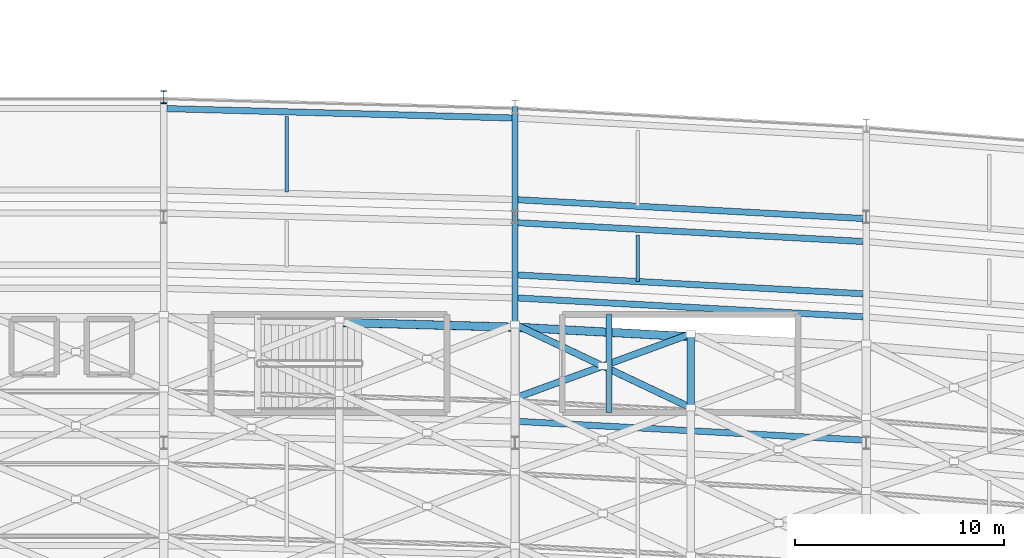
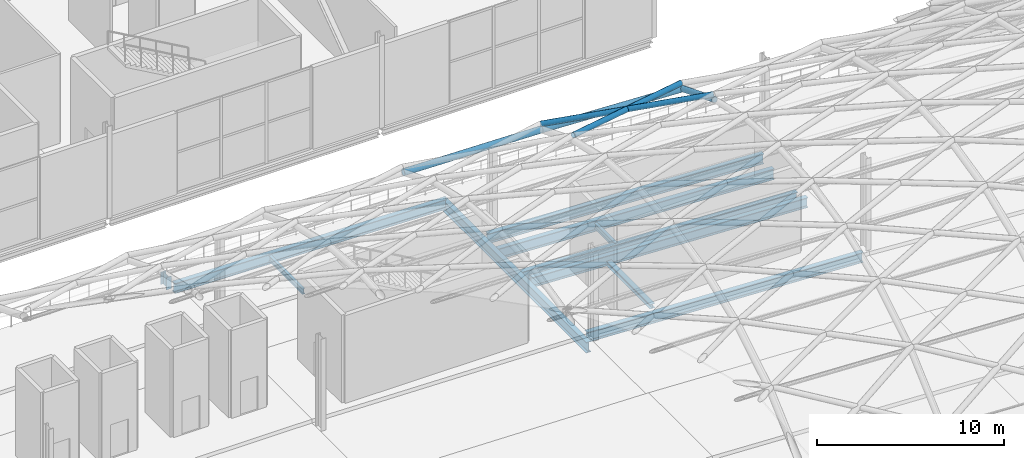
# One storey, part 37 of 100: 10 beams, 7 members.
"""IFC4 building model written with IfcOpenShell, lengths in metres."""

from ifc_helpers import new_model, si_unit, direction, frame, origin, origin_2d, place, context, subcontext, project, spatial, hollow_circle, i_section, extrude, material, material_profile, profile_set, type_object, element, save


model = new_model("IFC4")

# Units and contexts
model_context = context("Model", 3, precision=1e-05, world=origin(), true_north=direction((0.0, 1.0)))
body_context = subcontext(model_context, "Body", "Model", "MODEL_VIEW")
ifc_project = project(units=[si_unit("LENGTHUNIT", "METRE"), si_unit("AREAUNIT", "SQUARE_METRE"), si_unit("VOLUMEUNIT", "CUBIC_METRE"), si_unit("PLANEANGLEUNIT", "RADIAN"), si_unit("MASSUNIT", "GRAM", prefix="KILO")], contexts=[model_context])

# Site, building, storey
site_placement = place(None, origin())
site = spatial("IfcSite", under=ifc_project, at=site_placement, CompositionType="ELEMENT")
building_placement = place(site_placement, origin())
building = spatial("IfcBuilding", under=site, at=building_placement, Name="Kimbaza Rail Terminus", CompositionType="ELEMENT")
storey_placement = place(building_placement, frame((0.0, 0.0, 10.800048828125)))
storey = spatial("IfcBuildingStorey", under=building, at=storey_placement, Name="L02", CompositionType="ELEMENT", Elevation=10.800048828125)

# Beams
ifc_material_1 = material(Name="Steel S355", Category="steel")
ifc_material_profile_1 = material_profile(ifc_material_1, i_section(OverallWidth=0.300048828125, OverallDepth=0.2900390625, WebThickness=0.008544921875, FlangeThickness=0.013916015625, FilletRadius=0.027099609375, at=origin_2d()), Name="HEA 300")
ifc_profile_set_1 = profile_set([ifc_material_profile_1], Name="Steel S355")
beam_type_1 = type_object("IfcBeamType", Name="STR-BM-HEA300", PredefinedType="SPANDREL", material=ifc_profile_set_1)
beam_1_placement = place(storey_placement, frame((143.699951171875, 81.659912109375, -0.405029296875), z_axis=(0.0, 1.0, 0.0), x_axis=(-1.0, 0.0, 0.0)))
element("IfcBeam", 1, at=beam_1_placement, inside=storey, type_object=beam_type_1, Name="Platform East Concourse Stair Landing Trimmer Beam L02", PredefinedType="SPANDREL", context=body_context, shape_type="SweptSolid", body=[
    extrude(i_section(OverallWidth=0.300048828125, OverallDepth=0.2900390625, WebThickness=0.008544921875, FlangeThickness=0.013916015625, FilletRadius=0.027099609375, at=origin_2d()), origin(), (0.0, 0.0, 1.0), 4.68017578125),
])
ifc_material_2 = material(Name="Steel S355", Category="steel")
ifc_material_profile_2 = material_profile(ifc_material_2, i_section(OverallWidth=0.300048828125, OverallDepth=0.64990234375, WebThickness=0.01611328125, FlangeThickness=0.031005859375, FilletRadius=0.027099609375, at=origin_2d()), Name="HEB 650")
ifc_profile_set_2 = profile_set([ifc_material_profile_2], Name="Steel S355")
beam_type_2 = type_object("IfcBeamType", Name="STR-BM-HEB650", PredefinedType="USERDEFINED", material=ifc_profile_set_2)
beam_2_placement = place(storey_placement, frame((122.544921875, 96.189208984375, -0.5849609375), z_axis=(0.999632852013, -0.027095408765, 0.0), x_axis=(0.027095408765, 0.999632852013, 0.0)))
element("IfcBeam", 2, at=beam_2_placement, inside=storey, type_object=beam_type_2, Name="Viaduct Chorded Girder P4 Bay 07", ObjectType="GIRDER", PredefinedType="USERDEFINED", context=body_context, shape_type="SweptSolid", body=[
    extrude(i_section(OverallWidth=0.300048828125, OverallDepth=0.64990234375, WebThickness=0.01611328125, FlangeThickness=0.031005859375, FilletRadius=0.027099609375, at=origin_2d()), origin(), (0.0, 0.0, 1.0), 16.51611328125),
])
for number, where, z_axis, x_axis, name in (
    (3, (139.3447265625, 81.229736328125, -0.5849609375), (0.998530722194, -0.054188530475, 0.0), (0.054188530475, 0.998530722194, 0.0), "Viaduct Chorded Girder P3 Bay 08"),
    (4, (139.3447265625, 87.1298828125, -0.5849609375), (0.998529923153, -0.054203252368, 0.0), (0.054203252368, 0.998529923153, 0.0), "Viaduct Chorded Girder P3 Bay 08"),
    (5, (139.3447265625, 91.829833984375, -0.5849609375), (0.998529923153, -0.054203252368, 0.0), (0.054203252368, 0.998529923153, 0.0), "Viaduct Chorded Girder P4 Bay 08"),
):
    element("IfcBeam", number, at=place(storey_placement, frame(where, z_axis=z_axis, x_axis=x_axis)), inside=storey, type_object=beam_type_2, Name=name, ObjectType="GIRDER", PredefinedType="USERDEFINED", context=body_context, shape_type="SweptSolid", body=[
        extrude(i_section(OverallWidth=0.300048828125, OverallDepth=0.64990234375, WebThickness=0.01611328125, FlangeThickness=0.031005859375, FilletRadius=0.027099609375, at=origin_2d()), origin(), (0.0, 0.0, 1.0), 16.534912109375),
    ])
ifc_material_3 = material(Name="Steel S355", Category="steel")
ifc_material_profile_3 = material_profile(ifc_material_3, i_section(OverallWidth=0.300048828125, OverallDepth=0.699951171875, WebThickness=0.01708984375, FlangeThickness=0.031982421875, FilletRadius=0.027099609375, at=origin_2d()), Name="HEB 700")
ifc_profile_set_3 = profile_set([ifc_material_profile_3], Name="Steel S355")
beam_type_3 = type_object("IfcBeamType", Name="STR-BM-HEB700", PredefinedType="USERDEFINED", material=ifc_profile_set_3)
beam_3_placement = place(storey_placement, frame((139.199951171875, 80.697998046875, -0.920166015625), z_axis=(0.0, 1.0, 0.0), x_axis=(-1.0, 0.0, 0.0)))
element("IfcBeam", 6, at=beam_3_placement, inside=storey, type_object=beam_type_3, Name="Viaduct North Crosshead Girder VP-08", ObjectType="GIRDER", PredefinedType="USERDEFINED", context=body_context, shape_type="SweptSolid", body=[
    extrude(i_section(OverallWidth=0.300048828125, OverallDepth=0.699951171875, WebThickness=0.01708984375, FlangeThickness=0.031982421875, FilletRadius=0.027099609375, at=origin_2d()), origin(), (0.0, 0.0, 1.0), 15.589599609375),
])
for number, where, z_axis, x_axis, name in (
    (7, (139.3447265625, 88.229736328125, -0.920166015625), (0.998530722194, -0.054188530475, 0.0), (0.054188530475, 0.998530722194, 0.0), "Viaduct Chorded Girder TR56 Bay 08"),
    (8, (139.3447265625, 90.729736328125, -0.920166015625), (0.998530722194, -0.054188530475, 0.0), (0.054188530475, 0.998530722194, 0.0), "Viaduct Chorded Girder TR56 Bay 08"),
):
    element("IfcBeam", number, at=place(storey_placement, frame(where, z_axis=z_axis, x_axis=x_axis)), inside=storey, type_object=beam_type_3, Name=name, ObjectType="GIRDER", PredefinedType="USERDEFINED", context=body_context, shape_type="SweptSolid", body=[
        extrude(i_section(OverallWidth=0.300048828125, OverallDepth=0.699951171875, WebThickness=0.01708984375, FlangeThickness=0.031982421875, FilletRadius=0.027099609375, at=origin_2d()), origin(), (0.0, 0.0, 1.0), 16.534912109375),
    ])
ifc_material_4 = material(Name="Steel S355", Category="steel")
ifc_material_profile_4 = material_profile(ifc_material_4, i_section(OverallWidth=0.169921875, OverallDepth=0.360107421875, WebThickness=0.008056640625, FlangeThickness=0.0126953125, FilletRadius=0.01806640625, at=origin_2d()), Name="IPE 360")
ifc_profile_set_4 = profile_set([ifc_material_profile_4], Name="Steel S355")
beam_type_4 = type_object("IfcBeamType", Name="STR-BM-IPE360", PredefinedType="JOIST", material=ifc_profile_set_4)
beam_4_placement = place(storey_placement, frame((128.280029296875, 92.21044921875, -0.43994140625), z_axis=(0.0, 1.0, 0.0), x_axis=(-1.0, 0.0, 0.0)))
element("IfcBeam", 9, at=beam_4_placement, inside=storey, type_object=beam_type_4, Name="Viaduct Diaphragm P4 Bay 07", PredefinedType="JOIST", context=body_context, shape_type="SweptSolid", body=[
    extrude(i_section(OverallWidth=0.169921875, OverallDepth=0.360107421875, WebThickness=0.008056640625, FlangeThickness=0.0126953125, FilletRadius=0.01806640625, at=origin_2d()), origin(), (0.0, 0.0, 1.0), 3.60986328125),
])
beam_5_placement = place(storey_placement, frame((145.080078125, 87.9267578125, -0.75), z_axis=(0.0, 1.0, 0.0), x_axis=(-1.0, 0.0, 0.0)))
element("IfcBeam", 10, at=beam_5_placement, inside=storey, type_object=beam_type_4, Name="Viaduct Diaphragm TR56 Bay 08", PredefinedType="JOIST", context=body_context, shape_type="SweptSolid", body=[
    extrude(i_section(OverallWidth=0.169921875, OverallDepth=0.360107421875, WebThickness=0.008056640625, FlangeThickness=0.0126953125, FilletRadius=0.01806640625, at=origin_2d()), origin(), (0.0, 0.0, 1.0), 2.2099609375),
])

# Members
ifc_material_5 = material(Name="White painted steel S355", Category="steel")
ifc_material_profile_5 = material_profile(ifc_material_5, hollow_circle(Radius=0.161865234375, WallThickness=0.010009765625, at=origin_2d()), Name="CHS 323.9x10")
ifc_profile_set_5 = profile_set([ifc_material_profile_5], Name="White painted steel S355")
member_type_1 = type_object("IfcMemberType", Name="STR-MB-CHS323", PredefinedType="STRUT", material=ifc_profile_set_5)
member_1_placement = place(storey_placement, frame((139.199951171875, 82.341064453125, 11.9111328125), z_axis=(0.927738504005, 0.339121898593, -0.155876893994), x_axis=(-0.343318455211, 0.939219057681, 0.0)))
element("IfcMember", 11, at=member_1_placement, inside=storey, type_object=member_type_1, Name="Vault lattice diagonal A VR-14-VA09", PredefinedType="STRUT", context=body_context, shape_type="SweptSolid", body=[
    extrude(hollow_circle(Radius=0.161865234375, WallThickness=0.010009765625, at=origin_2d()), origin(), (0.0, 0.0, 1.0), 9.054443359375),
])
member_2_placement = place(storey_placement, frame((147.60009765625, 81.885009765625, 11.9111328125), z_axis=(-0.893348083537, 0.423566630865, -0.150068353954), x_axis=(-0.42841819972, -0.903580569816, 0.0)))
element("IfcMember", 12, at=member_2_placement, inside=storey, type_object=member_type_1, Name="Vault lattice diagonal B1 VR-14-VA09", PredefinedType="STRUT", context=body_context, shape_type="SweptSolid", body=[
    extrude(hollow_circle(Radius=0.161865234375, WallThickness=0.010009765625, at=origin_2d()), origin(), (0.0, 0.0, 1.0), 4.70166015625),
])
member_3_placement = place(storey_placement, frame((143.39990234375, 83.87646484375, 11.20556640625), z_axis=(-0.893350283389, 0.423540365711, -0.150129376811), x_axis=(-0.428395648018, -0.903591261998, 0.0)))
element("IfcMember", 13, at=member_3_placement, inside=storey, type_object=member_type_1, Name="Vault lattice diagonal B2 VR-14-VA09", PredefinedType="STRUT", context=body_context, shape_type="SweptSolid", body=[
    extrude(hollow_circle(Radius=0.161865234375, WallThickness=0.010009765625, at=origin_2d()), origin(), (0.0, 0.0, 1.0), 4.701416015625),
])
ifc_material_6 = material(Name="White painted steel S355", Category="steel")
ifc_material_profile_6 = material_profile(ifc_material_6, hollow_circle(Radius=0.177734375, WallThickness=0.012451171875, at=origin_2d()), Name="CHS 355.6x12.5")
ifc_profile_set_6 = profile_set([ifc_material_profile_6], Name="White painted steel S355")
member_type_2 = type_object("IfcMemberType", Name="STR-MB-CHS355", PredefinedType="CHORD", material=ifc_profile_set_6)
member_4_placement = place(storey_placement, frame((147.60009765625, 81.796142578125, 11.62451171875), z_axis=(0.0, 0.928413829694, -0.37154779078), x_axis=(-1.0, 0.0, 0.0)))
element("IfcMember", 14, at=member_4_placement, inside=storey, type_object=member_type_2, Name="Vault lattice arch chord VR-15 seg 10", PredefinedType="CHORD", context=body_context, shape_type="SweptSolid", body=[
    extrude(hollow_circle(Radius=0.177734375, WallThickness=0.012451171875, at=origin_2d()), origin(), (0.0, 0.0, 1.0), 3.750732421875),
])
ifc_material_7 = material(Name="White painted steel S355", Category="steel")
ifc_material_profile_7 = material_profile(ifc_material_7, hollow_circle(Radius=0.203125, WallThickness=0.01416015625, at=origin_2d()), Name="CHS 406.4x14.2")
ifc_profile_set_7 = profile_set([ifc_material_profile_7], Name="White painted steel S355")
member_type_3 = type_object("IfcMemberType", Name="STR-MB-CHS406", PredefinedType="CHORD", material=ifc_profile_set_7)
member_5_placement = place(storey_placement, frame((130.800048828125, 85.962158203125, 10.23095703125), z_axis=(0.999632526959, -0.027107398351, 0.0), x_axis=(0.027107398351, 0.999632526959, 0.0)))
element("IfcMember", 15, at=member_5_placement, inside=storey, type_object=member_type_3, Name="Vault lattice springing ring chord VR-13", PredefinedType="CHORD", context=body_context, shape_type="SweptSolid", body=[
    extrude(hollow_circle(Radius=0.203125, WallThickness=0.01416015625, at=origin_2d()), origin(), (0.0, 0.0, 1.0), 8.403076171875),
])
member_6_placement = place(storey_placement, frame((139.199951171875, 85.734375, 10.23095703125), z_axis=(0.998529478591, -0.054211441451, 0.0), x_axis=(0.054211441451, 0.998529478591, 0.0)))
element("IfcMember", 16, at=member_6_placement, inside=storey, type_object=member_type_3, Name="Vault lattice springing ring chord VR-14", PredefinedType="CHORD", context=body_context, shape_type="SweptSolid", body=[
    extrude(hollow_circle(Radius=0.203125, WallThickness=0.01416015625, at=origin_2d()), origin(), (0.0, 0.0, 1.0), 8.41259765625),
])
ifc_material_8 = material(Name="Steel S355", Category="steel")
ifc_material_profile_8 = material_profile(ifc_material_8, i_section(OverallWidth=0.304931640625, OverallDepth=0.6201171875, WebThickness=0.02099609375, FlangeThickness=0.0400390625, FilletRadius=0.027099609375, at=origin_2d()), Name="HEM 600")
ifc_profile_set_8 = profile_set([ifc_material_profile_8], Name="Steel S355")
member_type_4 = type_object("IfcMemberType", Name="STR-MB-HEM600", PredefinedType="POST", material=ifc_profile_set_8)
member_7_placement = place(storey_placement, frame((122.39990234375, 96.7431640625, -0.800048828125), z_axis=(0.0, 0.0, 1.0), x_axis=(1.0, 0.0, 0.0)))
element("IfcMember", 17, at=member_7_placement, inside=storey, type_object=member_type_4, Name="Vault Springing Shoe Pedestal N VP-07", PredefinedType="POST", context=body_context, shape_type="SweptSolid", body=[
    extrude(i_section(OverallWidth=0.304931640625, OverallDepth=0.6201171875, WebThickness=0.02099609375, FlangeThickness=0.0400390625, FilletRadius=0.027099609375, at=origin_2d()), origin(), (0.0, 0.0, 1.0), 0.800048828125),
])

save(model, "model.ifc")
